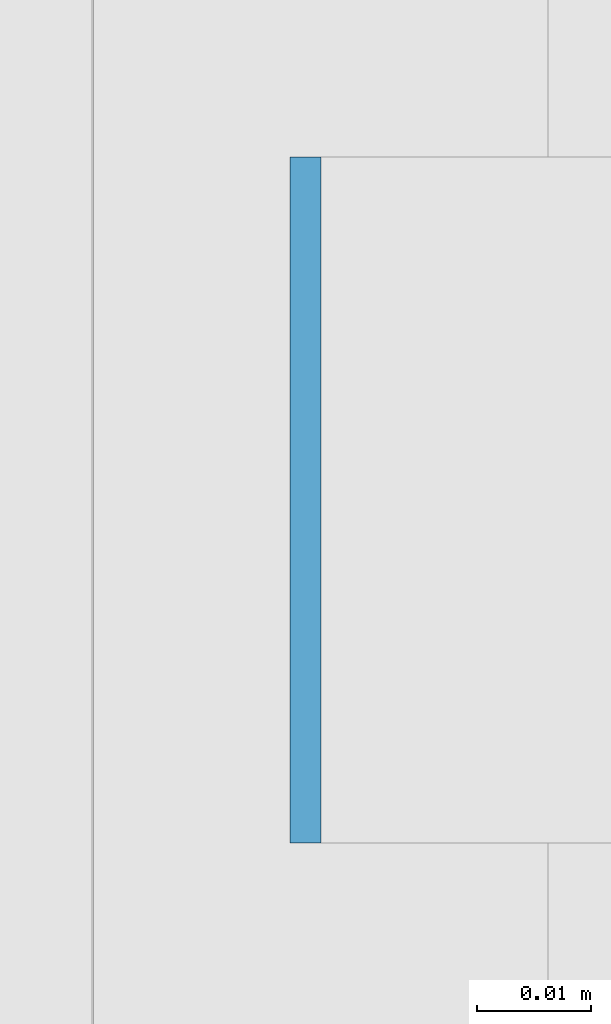
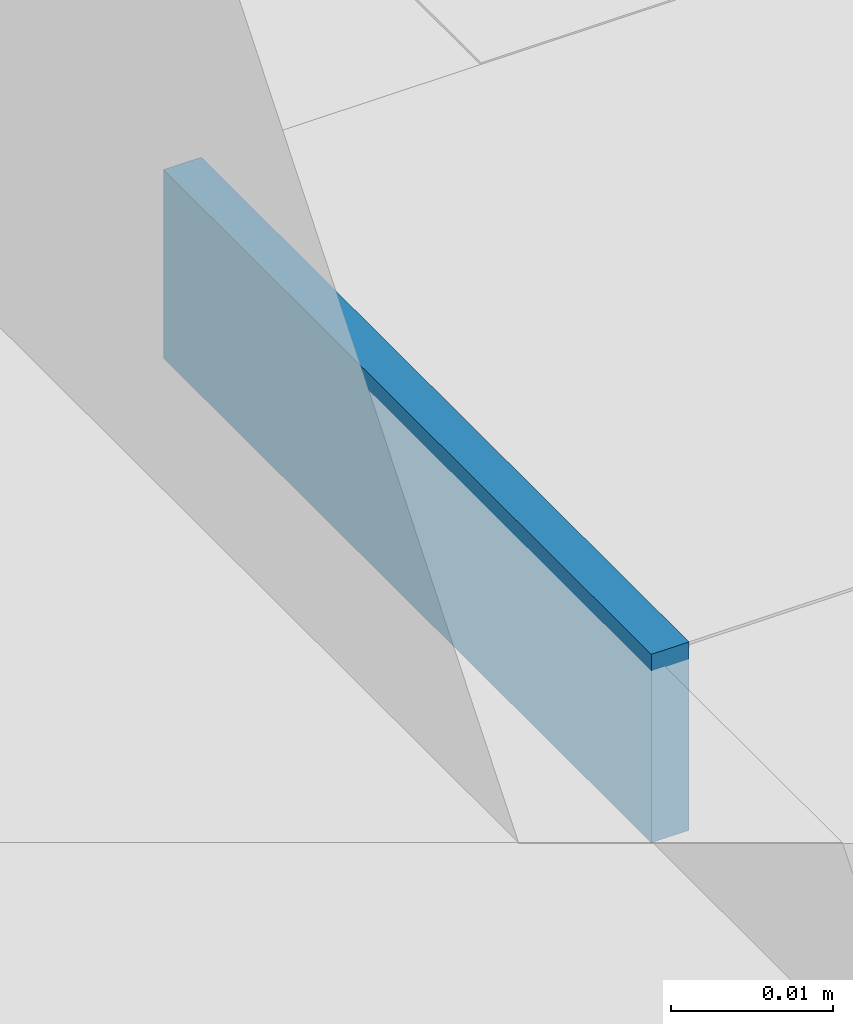
# One storey, part 535 of 646: 1 discrete accessory.
"""IFC4 building model written with IfcOpenShell, lengths in metres."""

from ifc_helpers import new_model, si_unit, direction, frame, origin, origin_2d, place, context, subcontext, project, spatial, rectangle, extrude, material, type_object, element, save


model = new_model("IFC4")

# Units and contexts
model_context = context("Model", 3, precision=1e-05, world=origin(), true_north=direction((0.0, 1.0)))
body_context = subcontext(model_context, "Body", "Model", "MODEL_VIEW")
ifc_project = project(units=[si_unit("LENGTHUNIT", "METRE"), si_unit("AREAUNIT", "SQUARE_METRE"), si_unit("VOLUMEUNIT", "CUBIC_METRE"), si_unit("PLANEANGLEUNIT", "RADIAN"), si_unit("MASSUNIT", "GRAM", prefix="KILO")], contexts=[model_context])

# Site, building, storey
site_placement = place(None, origin())
site = spatial("IfcSite", under=ifc_project, at=site_placement, CompositionType="ELEMENT")
building_placement = place(site_placement, origin())
building = spatial("IfcBuilding", under=site, at=building_placement, Name="Silverbay Arena", CompositionType="ELEMENT")
storey_placement = place(building_placement, frame((0.0, 0.0, 33.5)))
storey = spatial("IfcBuildingStorey", under=building, at=storey_placement, Name="L05", CompositionType="ELEMENT", Elevation=33.5)

# Discrete accessory
ifc_material = material(Name="Steel S355", Category="steel")
discrete_accessory_type = type_object("IfcDiscreteAccessoryType", Name="Steel bracket plate", PredefinedType="BRACKET", material=ifc_material)
discrete_accessory_placement = place(storey_placement, frame((207.128662109375, 87.428466796875, 12.98583984375), z_axis=(0.0, 0.0, 1.0), x_axis=(1.0, 0.0, 0.0)))
element("IfcDiscreteAccessory", 1, at=discrete_accessory_placement, inside=storey, type_object=discrete_accessory_type, Name="Curtain wall packing plate", PredefinedType="BRACKET", context=body_context, shape_type="SweptSolid", body=[
    extrude(rectangle(XDim=0.002685546875, YDim=0.06005859375, at=origin_2d()), origin(), (0.0, 0.0, 1.0), 0.01416015625),
])

save(model, "model.ifc")
